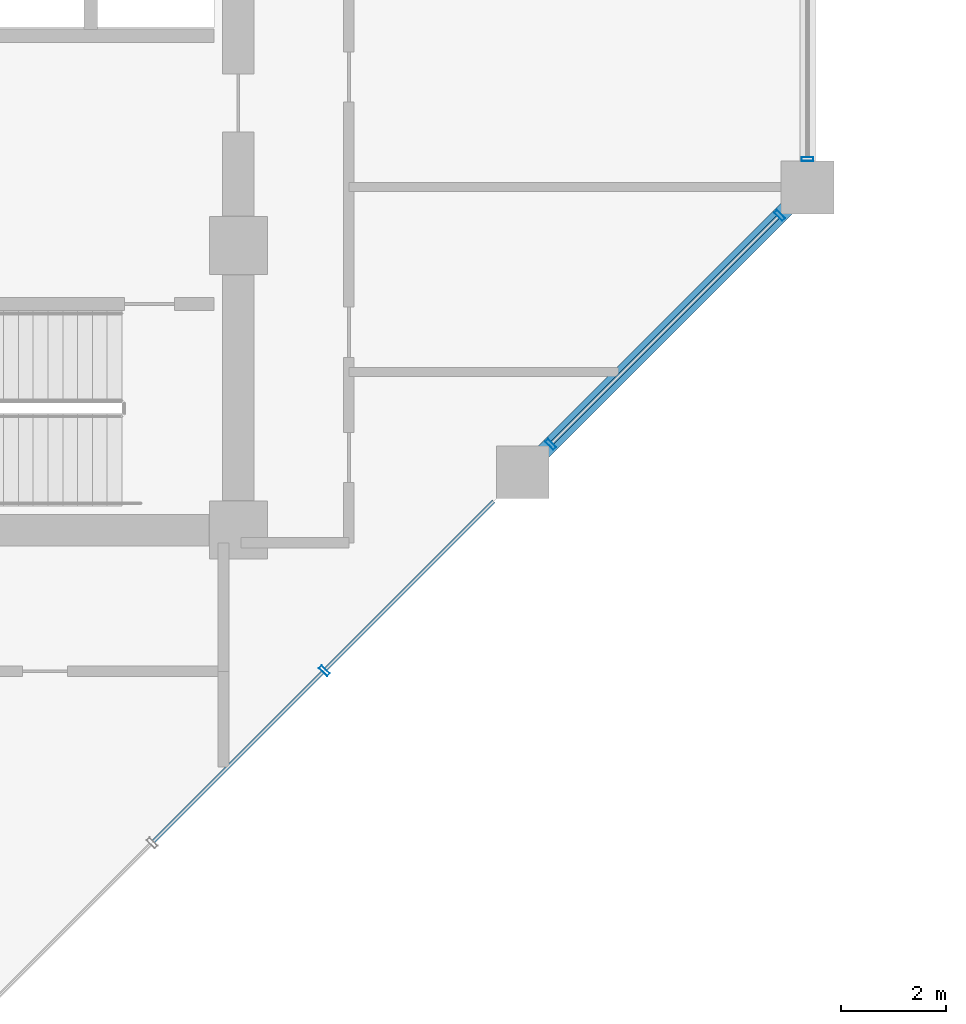
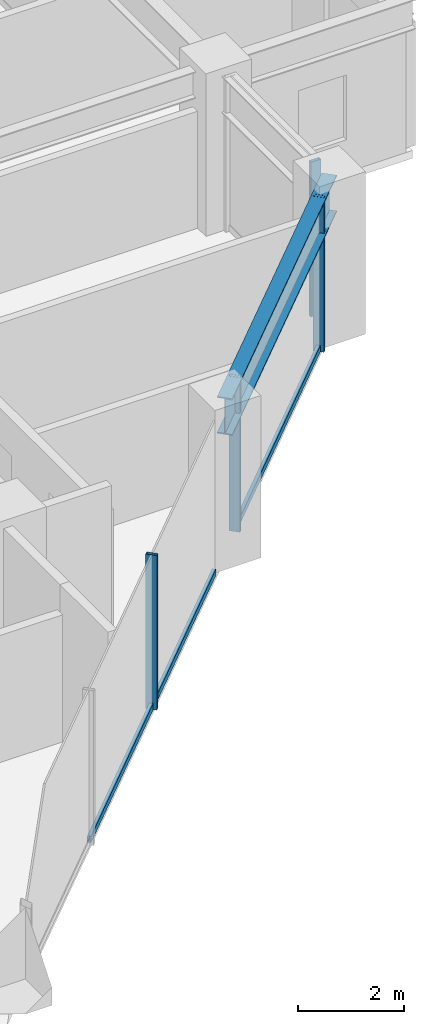
# One storey, part 8 of 25: 7 members, 1 beam, 2 elements without a shape of their own.
"""IFC4 building model written with IfcOpenShell, lengths in metres."""

from ifc_helpers import new_model, si_unit, direction, frame, origin, origin_2d, place, context, subcontext, project, spatial, hollow_rectangle, i_section, extrude, material, layer, layer_set, material_profile, profile_set, type_object, element, aggregate, save


model = new_model("IFC4")

# Units and contexts
model_context = context("Model", 3, precision=1e-05, world=origin(), true_north=direction((0.0, 1.0)))
body_context = subcontext(model_context, "Body", "Model", "MODEL_VIEW")
ifc_project = project(units=[si_unit("LENGTHUNIT", "METRE"), si_unit("AREAUNIT", "SQUARE_METRE"), si_unit("VOLUMEUNIT", "CUBIC_METRE"), si_unit("PLANEANGLEUNIT", "RADIAN"), si_unit("MASSUNIT", "GRAM", prefix="KILO")], contexts=[model_context])

# Site, building, storey
site_placement = place(None, origin())
site = spatial("IfcSite", under=ifc_project, at=site_placement, CompositionType="ELEMENT")
building_placement = place(site_placement, origin())
building = spatial("IfcBuilding", under=site, at=building_placement, Name="Surkhivell Harbour Commons", CompositionType="ELEMENT")
storey_placement = place(building_placement, frame((0.0, 0.0, 139.5)))
storey = spatial("IfcBuildingStorey", under=building, at=storey_placement, Name="L36", CompositionType="ELEMENT", Elevation=139.5)

# Beam
ifc_material_1 = material(Name="Steel S460", Category="steel")
ifc_material_profile_1 = material_profile(ifc_material_1, i_section(OverallWidth=0.2939453125, OverallDepth=0.85107421875, WebThickness=0.01611328125, FlangeThickness=0.02685546875, at=origin_2d()), Name="UB838x292x226")
ifc_profile_set_1 = profile_set([ifc_material_profile_1], Name="Steel S460")
beam_type = type_object("IfcBeamType", Name="BM-SPN-838", PredefinedType="SPANDREL", material=ifc_profile_set_1)
beam_placement = place(storey_placement, frame((16.199951171875, -9.699951171875, 3.14453125), z_axis=(0.707122765516, 0.707090796496, 0.0), x_axis=(-0.707090796496, 0.707122765516, 0.0)))
element("IfcBeam", 1, at=beam_placement, inside=storey, type_object=beam_type, Name="L36 Tube Spandrel (16.2,-9.7)", PredefinedType="SPANDREL", context=body_context, shape_type="SweptSolid", body=[
    extrude(i_section(OverallWidth=0.2939453125, OverallDepth=0.85107421875, WebThickness=0.01611328125, FlangeThickness=0.02685546875, at=origin_2d()), origin(), (0.0, 0.0, 1.0), 7.63671875),
])

# Curtain wall, members
ifc_material_2 = material(Name="Anodised pale-metal aluminium and insulated glazing", Category="aluminium")
ifc_layer = layer(ifc_material_2, 0.205078125)
ifc_layer_set = layer_set([ifc_layer], Name="Anodised pale-metal aluminium and insulated glazing")
curtain_wall_type = type_object("IfcCurtainWallType", Name="CW-SYS-Z2", PredefinedType="NOTDEFINED", material=ifc_layer_set)
curtain_wall_1_placement = place(storey_placement, origin())
curtain_wall_1 = element("IfcCurtainWall", 2, at=curtain_wall_1_placement, inside=storey, type_object=curtain_wall_type, Name="L36 Curtain Wall CW-L36-E01", PredefinedType="NOTDEFINED")
ifc_material_3 = material(Name="Anodised pale-metal aluminium alloy 6063-T6", Category="aluminium")
ifc_material_profile_2 = material_profile(ifc_material_3, hollow_rectangle(XDim=0.074951171875, YDim=0.219970703125, WallThickness=0.00390625, at=origin_2d()), Name="ALU-MULL-75x220")
ifc_profile_set_2 = profile_set([ifc_material_profile_2], Name="Anodised pale-metal aluminium alloy 6063-T6")
member_type_1 = type_object("IfcMemberType", Name="CWM-220", PredefinedType="MULLION", material=ifc_profile_set_2)
member_1_placement = place(storey_placement, frame((12.432861328125, -13.46728515625, 0.0), z_axis=(0.0, 0.0, 1.0), x_axis=(0.707106781187, 0.707106781187, 0.0)))
member_1 = element("IfcMember", 3, at=member_1_placement, type_object=member_type_1, Name="CW-Z2 mullion 4", PredefinedType="MULLION", context=body_context, shape_type="SweptSolid", body=[
    extrude(hollow_rectangle(XDim=0.074951171875, YDim=0.219970703125, WallThickness=0.00390625, at=origin_2d()), origin(), (0.0, 0.0, 1.0), 3.570068359375),
])
member_2_placement = place(storey_placement, frame((16.728271484375, -9.171875, 0.0), z_axis=(0.0, 0.0, 1.0), x_axis=(0.707106781187, 0.707106781187, 0.0)))
member_2 = element("IfcMember", 4, at=member_2_placement, type_object=member_type_1, Name="CW-Z2 mullion 5", PredefinedType="MULLION", context=body_context, shape_type="SweptSolid", body=[
    extrude(hollow_rectangle(XDim=0.074951171875, YDim=0.219970703125, WallThickness=0.00390625, at=origin_2d()), origin(), (0.0, 0.0, 1.0), 3.570068359375),
])
member_3_placement = place(storey_placement, frame((21.07177734375, -4.828125, 0.0), z_axis=(0.0, 0.0, 1.0), x_axis=(0.707106781187, 0.707106781187, 0.0)))
member_3 = element("IfcMember", 5, at=member_3_placement, type_object=member_type_1, Name="CW-Z2 mullion 6", PredefinedType="MULLION", context=body_context, shape_type="SweptSolid", body=[
    extrude(hollow_rectangle(XDim=0.074951171875, YDim=0.219970703125, WallThickness=0.00390625, at=origin_2d()), origin(), (0.0, 0.0, 1.0), 3.570068359375),
])

# Curtain wall, member
curtain_wall_2_placement = place(storey_placement, origin())
curtain_wall_2 = element("IfcCurtainWall", 6, at=curtain_wall_2_placement, inside=storey, type_object=curtain_wall_type, Name="L36 Curtain Wall CW-L36-E02R1", PredefinedType="NOTDEFINED")
member_4_placement = place(storey_placement, frame((21.60009765625, -3.760498046875, 0.0), z_axis=(0.0, 0.0, 1.0), x_axis=(0.0, 1.0, 0.0)))
member_4 = element("IfcMember", 7, at=member_4_placement, type_object=member_type_1, Name="CW-Z2 mullion 1", PredefinedType="MULLION", context=body_context, shape_type="SweptSolid", body=[
    extrude(hollow_rectangle(XDim=0.074951171875, YDim=0.219970703125, WallThickness=0.00390625, at=origin_2d()), origin(), (0.0, 0.0, 1.0), 3.570068359375),
])
aggregate(curtain_wall_2, [member_4])

# Member
ifc_material_profile_3 = material_profile(ifc_material_3, hollow_rectangle(XDim=0.074951171875, YDim=0.14990234375, WallThickness=0.00341796875, at=origin_2d()), Name="ALU-TRAN-75x150")
ifc_profile_set_3 = profile_set([ifc_material_profile_3], Name="Anodised pale-metal aluminium alloy 6063-T6")
member_type_2 = type_object("IfcMemberType", Name="CWT-150", PredefinedType="USERDEFINED", material=ifc_profile_set_3)
member_5_placement = place(storey_placement, frame((9.19384765625, -16.706298828125, 0.074951171875), z_axis=(0.707079911854, 0.707133649498, 0.0), x_axis=(-0.707133649498, 0.707079911854, 0.0)))
member_5 = element("IfcMember", 8, at=member_5_placement, type_object=member_type_2, Name="CW-Z2 transom 3.1", ObjectType="TRANSOM", PredefinedType="USERDEFINED", context=body_context, shape_type="SweptSolid", body=[
    extrude(hollow_rectangle(XDim=0.074951171875, YDim=0.14990234375, WallThickness=0.00341796875, at=origin_2d()), origin(), (0.0, 0.0, 1.0), 4.543212890625),
])

member_6_placement = place(storey_placement, frame((12.459228515625, -13.440673828125, 0.074951171875), z_axis=(0.707106781187, 0.707106781187, 0.0), x_axis=(-0.707106781187, 0.707106781187, 0.0)))
member_6 = element("IfcMember", 9, at=member_6_placement, type_object=member_type_2, Name="CW-Z2 transom 4.1", ObjectType="TRANSOM", PredefinedType="USERDEFINED", context=body_context, shape_type="SweptSolid", body=[
    extrude(hollow_rectangle(XDim=0.074951171875, YDim=0.14990234375, WallThickness=0.00341796875, at=origin_2d()), origin(), (0.0, 0.0, 1.0), 4.505615234375),
])

member_7_placement = place(storey_placement, frame((16.754638671875, -9.145263671875, 0.074951171875), z_axis=(0.707106781187, 0.707106781187, 0.0), x_axis=(-0.707106781187, 0.707106781187, 0.0)))
member_7 = element("IfcMember", 10, at=member_7_placement, type_object=member_type_2, Name="CW-Z2 transom 5.1", ObjectType="TRANSOM", PredefinedType="USERDEFINED", context=body_context, shape_type="SweptSolid", body=[
    extrude(hollow_rectangle(XDim=0.074951171875, YDim=0.14990234375, WallThickness=0.00341796875, at=origin_2d()), origin(), (0.0, 0.0, 1.0), 6.067626953125),
])

aggregate(curtain_wall_1, [member_1, member_5, member_6, member_2, member_3, member_7])

save(model, "model.ifc")
